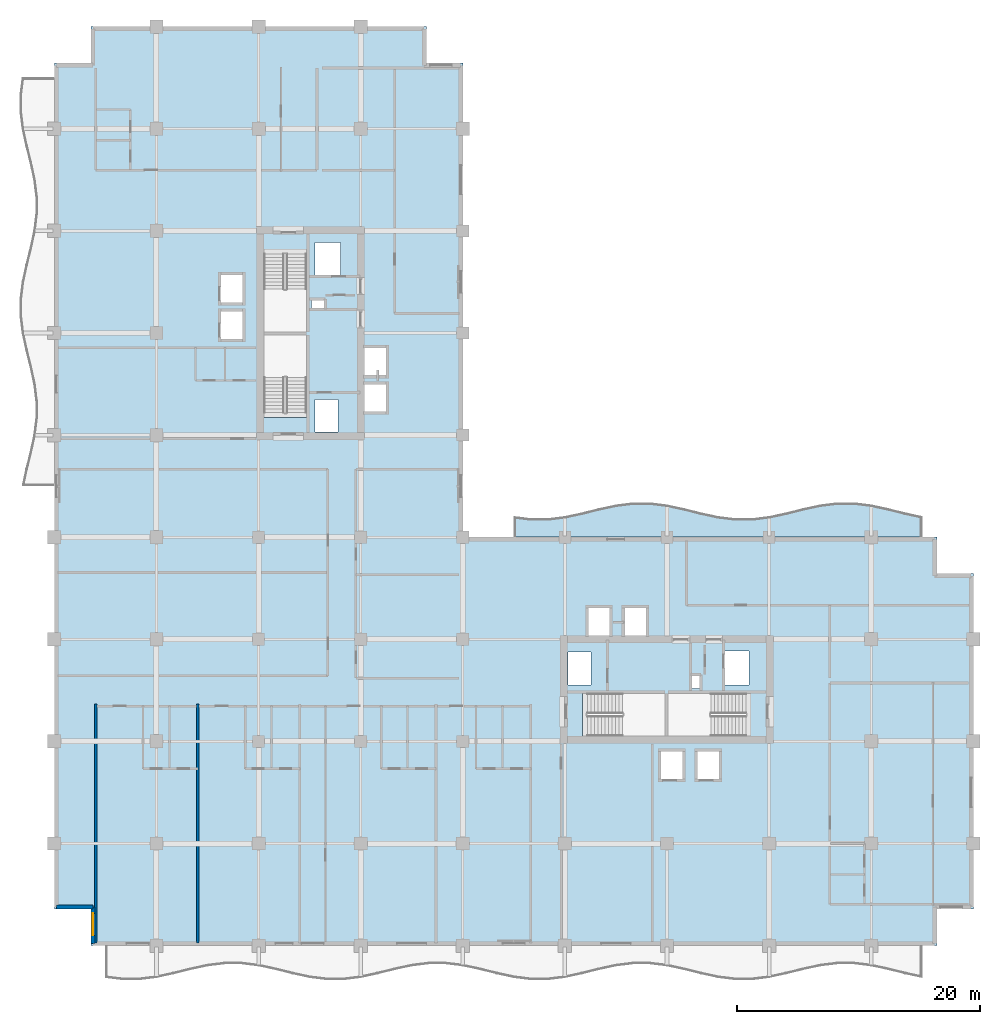
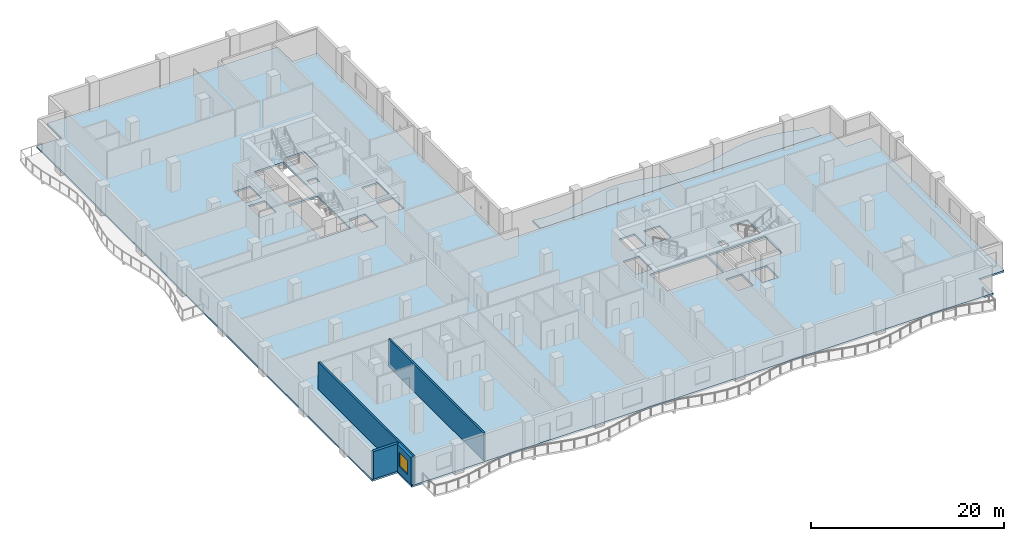
# One storey, part 3 of 14: 4 walls, 2 slabs, 1 window, 1 opening.
"""IFC4 building model written with IfcOpenShell, lengths in metres."""

from ifc_helpers import new_model, si_unit, direction, frame, frame_2d, origin, place, context, subcontext, project, spatial, polyline, rectangle, outline, extrude, material, layer, layer_set, type_object, element, fill, save


model = new_model("IFC4")

# Units and contexts
model_context = context("Model", 3, precision=1e-05, world=origin(), true_north=direction((0.0, 1.0)))
body_context = subcontext(model_context, "Body", "Model", "MODEL_VIEW")
ifc_project = project(units=[si_unit("LENGTHUNIT", "METRE"), si_unit("AREAUNIT", "SQUARE_METRE"), si_unit("VOLUMEUNIT", "CUBIC_METRE"), si_unit("PLANEANGLEUNIT", "RADIAN"), si_unit("MASSUNIT", "GRAM", prefix="KILO")], contexts=[model_context])

# Site, building, storey
site_placement = place(None, origin())
site = spatial("IfcSite", under=ifc_project, at=site_placement, CompositionType="ELEMENT")
building_placement = place(site_placement, origin())
building = spatial("IfcBuilding", under=site, at=building_placement, Name="Koriwani Terraces Tower", CompositionType="ELEMENT")
storey_placement = place(building_placement, frame((0.0, 0.0, 208.699951171875)))
storey = spatial("IfcBuildingStorey", under=building, at=storey_placement, Name="L51", CompositionType="ELEMENT", Elevation=208.699951171875)

# Slabs
ifc_material_1 = material(Name="Concrete C40/50", Category="concrete")
ifc_layer_1 = layer(ifc_material_1, 0.219970703125, Name="Concrete C40/50")
ifc_layer_set_1 = layer_set([ifc_layer_1], Name="Concrete C40/50")
slab_type_1 = type_object("IfcSlabType", Name="SLAB_BALCONY_220", PredefinedType="FLOOR", material=ifc_layer_set_1)
slab_1_placement = place(storey_placement, frame((0.0, 0.0, -0.219970703125)))
element("IfcSlab", 1, at=slab_1_placement, inside=storey, type_object=slab_type_1, Name="L51 Quilted Circular-Arc Balcony (NE)", PredefinedType="FLOOR", context=body_context, shape_type="SweptSolid", body=[
    extrude(outline(polyline([(71.39990234375, 33.60009765625), (70.0, 33.60009765625), (68.60009765625, 33.60009765625), (67.199951171875, 33.60009765625), (65.800048828125, 33.60009765625), (64.39990234375, 33.60009765625), (63.0, 33.60009765625), (61.60009765625, 33.60009765625), (60.199951171875, 33.60009765625), (58.800048828125, 33.60009765625), (57.39990234375, 33.60009765625), (56.0, 33.60009765625), (54.60009765625, 33.60009765625), (53.199951171875, 33.60009765625), (51.800048828125, 33.60009765625), (50.39990234375, 33.60009765625), (49.0, 33.60009765625), (47.60009765625, 33.60009765625), (46.199951171875, 33.60009765625), (44.800048828125, 33.60009765625), (43.39990234375, 33.60009765625), (42.0, 33.60009765625), (40.60009765625, 33.60009765625), (39.199951171875, 33.60009765625), (37.800048828125, 33.60009765625), (37.800048828125, 35.297607421875), (39.199951171875, 35.123046875), (40.60009765625, 35.123046875), (42.0, 35.297607421875), (43.39990234375, 35.600341796875), (44.800048828125, 35.94970703125), (46.199951171875, 36.252197265625), (47.60009765625, 36.427001953125), (49.0, 36.427001953125), (50.39990234375, 36.252197265625), (51.800048828125, 35.94970703125), (53.199951171875, 35.600341796875), (54.60009765625, 35.297607421875), (56.0, 35.123046875), (57.39990234375, 35.123046875), (58.800048828125, 35.297607421875), (60.199951171875, 35.600341796875), (61.60009765625, 35.94970703125), (63.0, 36.252197265625), (64.39990234375, 36.427001953125), (65.800048828125, 36.427001953125), (67.199951171875, 36.252197265625), (68.60009765625, 35.94970703125), (70.0, 35.600341796875), (71.39990234375, 35.297607421875), (71.39990234375, 33.60009765625)])), origin(), (0.0, 0.0, 1.0), 0.219970703125),
])
ifc_layer_2 = layer(ifc_material_1, 0.22998046875, Name="Concrete C40/50")
ifc_layer_set_2 = layer_set([ifc_layer_2], Name="Concrete C40/50")
slab_type_2 = type_object("IfcSlabType", Name="SLAB_RES_TYP_230", PredefinedType="FLOOR", material=ifc_layer_set_2)
slab_2_placement = place(storey_placement, frame((0.0, 0.0, -0.22998046875)))
element("IfcSlab", 2, at=slab_2_placement, inside=storey, type_object=slab_type_2, Name="L51 Structural Floor Slab", PredefinedType="FLOOR", context=body_context, shape_type="SweptSolid", body=[
    extrude(outline(polyline([(3.0, 0.0), (72.60009765625, 0.0), (72.60009765625, 3.0), (75.60009765625, 3.0), (75.60009765625, 30.60009765625), (72.60009765625, 30.60009765625), (72.60009765625, 33.60009765625), (33.60009765625, 33.60009765625), (33.60009765625, 72.60009765625), (30.60009765625, 72.60009765625), (30.60009765625, 75.60009765625), (3.0, 75.60009765625), (3.0, 72.60009765625), (0.0, 72.60009765625), (0.0, 3.0), (3.0, 3.0), (3.0, 0.0)]), holes=[polyline([(17.25, 43.4599609375), (20.75, 43.4599609375), (20.75, 50.25), (17.25, 50.25), (17.25, 43.4599609375)]), polyline([(17.25, 50.5), (20.75, 50.5), (20.75, 57.2900390625), (17.25, 57.2900390625), (17.25, 50.5)]), polyline([(43.4599609375, 17.25), (50.25, 17.25), (50.25, 20.75), (43.4599609375, 20.75), (43.4599609375, 17.25)]), polyline([(50.5, 17.25), (57.2900390625, 17.25), (57.2900390625, 20.75), (50.5, 20.75), (50.5, 17.25)]), polyline([(13.64990234375, 49.85009765625), (15.550048828125, 49.85009765625), (15.550048828125, 52.25), (13.64990234375, 52.25), (13.64990234375, 49.85009765625)]), polyline([(13.64990234375, 52.85009765625), (15.550048828125, 52.85009765625), (15.550048828125, 55.25), (13.64990234375, 55.25), (13.64990234375, 52.85009765625)]), polyline([(49.85009765625, 13.64990234375), (51.75, 13.64990234375), (51.75, 16.050048828125), (49.85009765625, 16.050048828125), (49.85009765625, 13.64990234375)]), polyline([(52.85009765625, 13.64990234375), (54.75, 13.64990234375), (54.75, 16.050048828125), (52.85009765625, 16.050048828125), (52.85009765625, 13.64990234375)]), polyline([(25.449951171875, 43.85009765625), (27.35009765625, 43.85009765625), (27.35009765625, 46.25), (25.449951171875, 46.25), (25.449951171875, 43.85009765625)]), polyline([(25.449951171875, 46.85009765625), (27.35009765625, 46.85009765625), (27.35009765625, 49.25), (25.449951171875, 49.25), (25.449951171875, 46.85009765625)]), polyline([(43.85009765625, 25.449951171875), (45.75, 25.449951171875), (45.75, 27.85009765625), (43.85009765625, 27.85009765625), (43.85009765625, 25.449951171875)]), polyline([(46.85009765625, 25.449951171875), (48.75, 25.449951171875), (48.75, 27.85009765625), (46.85009765625, 27.85009765625), (46.85009765625, 25.449951171875)]), polyline([(21.449951171875, 55.050048828125), (23.550048828125, 55.050048828125), (23.550048828125, 57.85009765625), (21.449951171875, 57.85009765625), (21.449951171875, 55.050048828125)]), polyline([(55.050048828125, 21.449951171875), (57.14990234375, 21.449951171875), (57.14990234375, 24.25), (55.050048828125, 24.25), (55.050048828125, 21.449951171875)]), polyline([(21.449951171875, 42.25), (23.35009765625, 42.25), (23.35009765625, 44.949951171875), (21.449951171875, 44.949951171875), (21.449951171875, 42.25)]), polyline([(42.25, 21.449951171875), (44.14990234375, 21.449951171875), (44.14990234375, 24.14990234375), (42.25, 24.14990234375), (42.25, 21.449951171875)]), polyline([(21.14990234375, 52.419921875), (22.219970703125, 52.419921875), (22.219970703125, 53.179931640625), (21.14990234375, 53.179931640625), (21.14990234375, 52.419921875)]), polyline([(52.419921875, 21.14990234375), (53.179931640625, 21.14990234375), (53.179931640625, 22.219970703125), (52.419921875, 22.219970703125), (52.419921875, 21.14990234375)])]), origin(), (0.0, 0.0, 1.0), 0.22998046875),
])

# Walls
ifc_material_2 = material(Name="Autoclaved Cellular Concrete Blockwork", Category="masonry")
ifc_layer_3 = layer(ifc_material_2, 0.219970703125, Name="Autoclaved Cellular Concrete Blockwork")
ifc_layer_set_3 = layer_set([ifc_layer_3], Name="Autoclaved Cellular Concrete Blockwork")
wall_type_1 = type_object("IfcWallType", Name="WALL_DEMISING_220", PredefinedType="PARTITIONING", material=ifc_layer_set_3)
for number, where, z_axis, x_axis, name in (
    (3, (3.39990234375, 0.199951171875, 0.0), (0.0, 0.0, 1.0), (0.0, 1.0, 0.0), "L51 Interior Wall WRDEM-L51-SW-0"),
    (4, (11.800048828125, 0.199951171875, 0.0), (0.0, 0.0, 1.0), (0.0, 1.0, 0.0), "L51 Interior Wall WRDEM-L51-SW-1"),
):
    element("IfcWall", number, at=place(storey_placement, frame(where, z_axis=z_axis, x_axis=x_axis)), inside=storey, type_object=wall_type_1, Name=name, PredefinedType="PARTITIONING", context=body_context, shape_type="SweptSolid", body=[
        extrude(rectangle(XDim=19.679931640625, YDim=0.219970703125, at=frame_2d((9.83984375, 0.0))), origin(), (0.0, 0.0, 1.0), 3.469970703125),
    ])

# Wall, opening, window
ifc_material_3 = material(Name="Concrete C50/60", Category="concrete")
ifc_layer_4 = layer(ifc_material_3, 0.35009765625, Name="Concrete C50/60")
ifc_layer_set_4 = layer_set([ifc_layer_4], Name="Concrete C50/60")
wall_type_2 = type_object("IfcWallType", Name="WALL_EXT_BRUTALIST_350", PredefinedType="STANDARD", material=ifc_layer_set_4)
wall_1_placement = place(storey_placement, frame((3.175048828125, 0.175048828125, 0.0), z_axis=(0.0, 0.0, 1.0), x_axis=(0.0, 1.0, 0.0)))
wall_1 = element("IfcWall", 5, at=wall_1_placement, inside=storey, type_object=wall_type_2, Name="L51 Fair-Faced Brutalist Exterior Wall (N0)", PredefinedType="STANDARD", context=body_context, shape_type="SweptSolid", body=[
    extrude(rectangle(XDim=3.0, YDim=0.35009765625, at=frame_2d((1.5, 0.0))), origin(), (0.0, 0.0, 1.0), 3.469970703125),
])
opening_placement = place(wall_1_placement, frame((0.677490234375, 0.0, 0.85009765625)))
opening = element("IfcOpeningElement", 6, at=opening_placement, cuts=wall_1, Name="Opening W-04", PredefinedType="OPENING", context=body_context, shape_type="SweptSolid", body=[
    extrude(rectangle(XDim=1.800048828125, YDim=1.800048828125, at=frame_2d((0.89990234375, 0.89990234375))), frame((0.0, 0.18505859375, 0.0), z_axis=(0.0, -1.0, 0.0), x_axis=(1.0, 0.0, 0.0)), (0.0, 0.0, 1.0), 0.3701171875),
])
ifc_material_4 = material(Name="Tempered Laminated Low-E Glass", Category="glass")
window_type = type_object("IfcWindowType", Name="WIN_RES_BED_1800X1800", PartitioningType="DOUBLE_PANEL_VERTICAL", PredefinedType="WINDOW", material=ifc_material_4)
window_placement = place(opening_placement, origin())
window = element("IfcWindow", 7, at=window_placement, inside=storey, type_object=window_type, Name="L51 Exterior Window (N0-R33)", OverallHeight=1.800048828125, OverallWidth=1.800048828125, PartitioningType="SINGLE_PANEL", PredefinedType="WINDOW", context=body_context, shape_type="SweptSolid", body=[
    extrude(rectangle(XDim=1.800048828125, YDim=1.800048828125, at=frame_2d((0.89990234375, 0.89990234375))), frame((0.0, 0.030029296875, 0.0), z_axis=(0.0, -1.0, 0.0), x_axis=(1.0, 0.0, 0.0)), (0.0, 0.0, 1.0), 0.06005859375),
])
fill(opening, window)

# Wall
wall_2_placement = place(storey_placement, frame((3.175048828125, 3.175048828125, 0.0), z_axis=(0.0, 0.0, 1.0), x_axis=(-1.0, 0.0, 0.0)))
element("IfcWall", 8, at=wall_2_placement, inside=storey, type_object=wall_type_2, Name="L51 Fair-Faced Brutalist Exterior Wall (N1)", PredefinedType="STANDARD", context=body_context, shape_type="SweptSolid", body=[
    extrude(rectangle(XDim=3.0, YDim=0.35009765625, at=frame_2d((1.5, 0.0))), origin(), (0.0, 0.0, 1.0), 3.469970703125),
])

save(model, "model.ifc")
